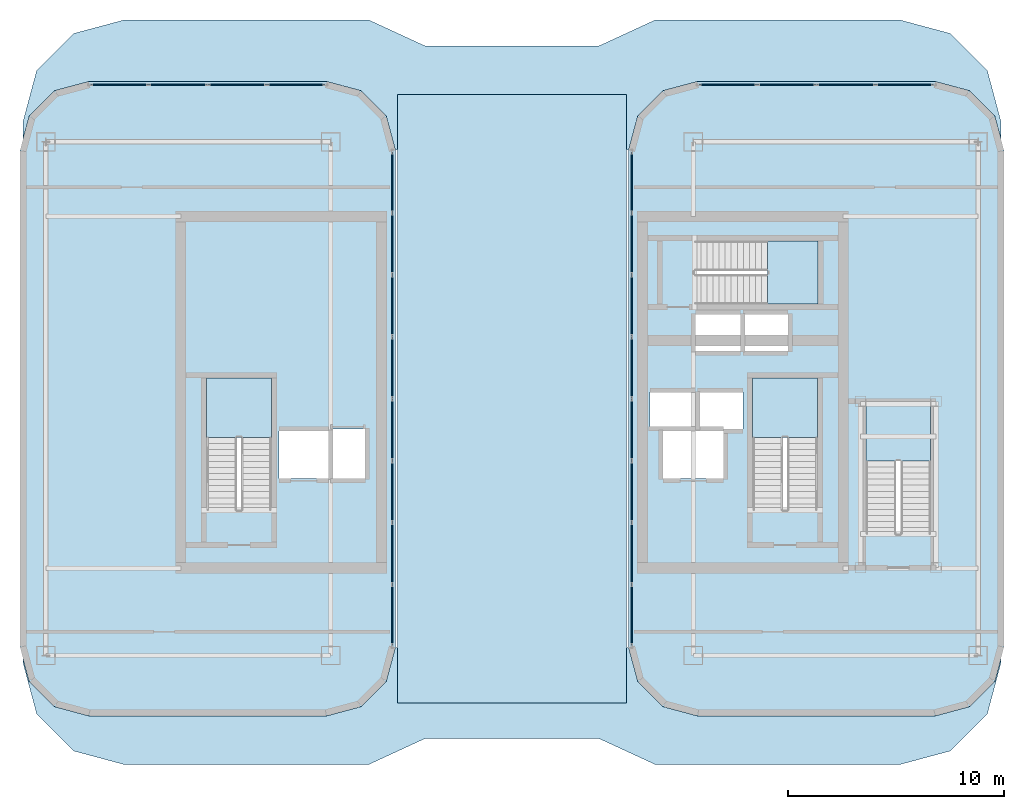
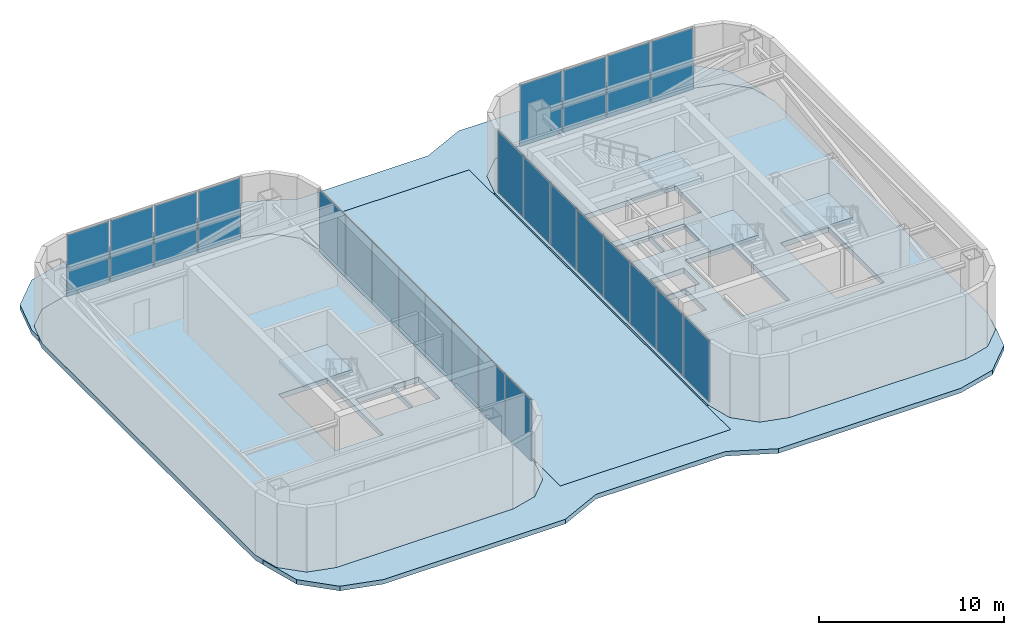
# One storey, part 8 of 14: 24 plates, 9 slabs, 8 elements without a shape of their own.
"""IFC4 building model written with IfcOpenShell, lengths in metres."""

from ifc_helpers import new_model, si_unit, direction, frame, origin, origin_2d, place, context, subcontext, project, spatial, polyline, rectangle, outline, extrude, material, layer, layer_set, type_object, element, aggregate, save


model = new_model("IFC4")

# Units and contexts
model_context = context("Model", 3, precision=1e-05, world=origin(), true_north=direction((0.0, 1.0)))
body_context = subcontext(model_context, "Body", "Model", "MODEL_VIEW")
ifc_project = project(units=[si_unit("LENGTHUNIT", "METRE"), si_unit("AREAUNIT", "SQUARE_METRE"), si_unit("VOLUMEUNIT", "CUBIC_METRE"), si_unit("PLANEANGLEUNIT", "RADIAN"), si_unit("MASSUNIT", "GRAM", prefix="KILO")], contexts=[model_context])

# Site, building, storey
site_placement = place(None, origin())
site = spatial("IfcSite", under=ifc_project, at=site_placement, CompositionType="ELEMENT")
building_placement = place(site_placement, origin())
building = spatial("IfcBuilding", under=site, at=building_placement, Name="Kiyonajd Concourse Tower", CompositionType="ELEMENT")
storey_placement = place(building_placement, frame((0.0, 0.0, 354.89990234375)))
storey = spatial("IfcBuildingStorey", under=building, at=storey_placement, Name="L89", CompositionType="ELEMENT", Elevation=354.89990234375)

# Curtain wall, plates
ifc_material_1 = material(Name="Thermally Broken Anodised Aluminium", Category="aluminium")
ifc_layer_1 = layer(ifc_material_1, 0.179931640625)
ifc_layer_set_1 = layer_set([ifc_layer_1], Name="Thermally Broken Anodised Aluminium")
curtain_wall_type = type_object("IfcCurtainWallType", Name="CW-SYS-06", PredefinedType="NOTDEFINED", material=ifc_layer_set_1)
curtain_wall_1_placement = place(storey_placement, origin())
curtain_wall_1 = element("IfcCurtainWall", 1, at=curtain_wall_1_placement, inside=storey, type_object=curtain_wall_type, Name="L89 Unitised Curtain Wall CW6", PredefinedType="NOTDEFINED")
ifc_material_2 = material(Name="Riyadh Jubaila Limestone", Category="masonry")
ifc_layer_2 = layer(ifc_material_2, 0.048095703125)
ifc_layer_set_2 = layer_set([ifc_layer_2], Name="Riyadh Jubaila Limestone")
plate_type = type_object("IfcPlateType", Name="PL-CW-SPD48", PredefinedType="CURTAIN_PANEL", material=ifc_layer_set_2)
plate_1_placement = place(storey_placement, frame((29.80859375, 50.25, 0.0751953125), z_axis=(0.0, 0.0, 1.0), x_axis=(1.0, 0.0, 0.0)))
plate_1 = element("IfcPlate", 2, at=plate_1_placement, type_object=plate_type, Name="CW6 panel 1.1", PredefinedType="CURTAIN_PANEL", context=body_context, shape_type="SweptSolid", body=[
    extrude(rectangle(XDim=2.627685546875, YDim=0.048095703125, at=origin_2d()), origin(), (0.0, 0.0, 1.0), 4.050048828125),
])
plate_2_placement = place(storey_placement, frame((32.530029296875, 50.25, 0.0751953125), z_axis=(0.0, 0.0, 1.0), x_axis=(1.0, 0.0, 0.0)))
plate_2 = element("IfcPlate", 3, at=plate_2_placement, type_object=plate_type, Name="CW6 panel 2.1", PredefinedType="CURTAIN_PANEL", context=body_context, shape_type="SweptSolid", body=[
    extrude(rectangle(XDim=2.6650390625, YDim=0.048095703125, at=origin_2d()), origin(), (0.0, 0.0, 1.0), 4.050048828125),
])
plate_3_placement = place(storey_placement, frame((35.27001953125, 50.25, 0.0751953125), z_axis=(0.0, 0.0, 1.0), x_axis=(1.0, 0.0, 0.0)))
plate_3 = element("IfcPlate", 4, at=plate_3_placement, type_object=plate_type, Name="CW6 panel 3.1", PredefinedType="CURTAIN_PANEL", context=body_context, shape_type="SweptSolid", body=[
    extrude(rectangle(XDim=2.6650390625, YDim=0.048095703125, at=origin_2d()), origin(), (0.0, 0.0, 1.0), 4.050048828125),
])
plate_4_placement = place(storey_placement, frame((37.991455078125, 50.25, 0.0751953125), z_axis=(0.0, 0.0, 1.0), x_axis=(1.0, 0.0, 0.0)))
plate_4 = element("IfcPlate", 5, at=plate_4_placement, type_object=plate_type, Name="CW6 panel 4.1", PredefinedType="CURTAIN_PANEL", context=body_context, shape_type="SweptSolid", body=[
    extrude(rectangle(XDim=2.627685546875, YDim=0.048095703125, at=origin_2d()), origin(), (0.0, 0.0, 1.0), 4.050048828125),
])
aggregate(curtain_wall_1, [plate_1, plate_2, plate_3, plate_4])

curtain_wall_2_placement = place(storey_placement, origin())
curtain_wall_2 = element("IfcCurtainWall", 6, at=curtain_wall_2_placement, inside=storey, type_object=curtain_wall_type, Name="L89 Unitised Curtain Wall CW6", PredefinedType="NOTDEFINED")
plate_5_placement = place(storey_placement, frame((42.449951171875, 45.726318359375, 0.0751953125), z_axis=(0.0, 0.0, 1.0), x_axis=(0.0, -1.0, 0.0)))
plate_5 = element("IfcPlate", 7, at=plate_5_placement, type_object=plate_type, Name="CW6 panel 1.1", PredefinedType="CURTAIN_PANEL", context=body_context, shape_type="SweptSolid", body=[
    extrude(rectangle(XDim=2.757568359375, YDim=0.048095703125, at=origin_2d()), origin(), (0.0, 0.0, 1.0), 4.050048828125),
])
plate_6_placement = place(storey_placement, frame((42.449951171875, 42.875244140625, 0.0751953125), z_axis=(0.0, 0.0, 1.0), x_axis=(0.0, -1.0, 0.0)))
plate_6 = element("IfcPlate", 8, at=plate_6_placement, type_object=plate_type, Name="CW6 panel 2.1", PredefinedType="CURTAIN_PANEL", context=body_context, shape_type="SweptSolid", body=[
    extrude(rectangle(XDim=2.795166015625, YDim=0.048095703125, at=origin_2d()), origin(), (0.0, 0.0, 1.0), 4.050048828125),
])
plate_7_placement = place(storey_placement, frame((42.449951171875, 40.005126953125, 0.0751953125), z_axis=(0.0, 0.0, 1.0), x_axis=(0.0, -1.0, 0.0)))
plate_7 = element("IfcPlate", 9, at=plate_7_placement, type_object=plate_type, Name="CW6 panel 3.1", PredefinedType="CURTAIN_PANEL", context=body_context, shape_type="SweptSolid", body=[
    extrude(rectangle(XDim=2.795166015625, YDim=0.048095703125, at=origin_2d()), origin(), (0.0, 0.0, 1.0), 4.050048828125),
])
plate_8_placement = place(storey_placement, frame((42.449951171875, 37.135009765625, 0.0751953125), z_axis=(0.0, 0.0, 1.0), x_axis=(0.0, -1.0, 0.0)))
plate_8 = element("IfcPlate", 10, at=plate_8_placement, type_object=plate_type, Name="CW6 panel 4.1", PredefinedType="CURTAIN_PANEL", context=body_context, shape_type="SweptSolid", body=[
    extrude(rectangle(XDim=2.795166015625, YDim=0.048095703125, at=origin_2d()), origin(), (0.0, 0.0, 1.0), 4.050048828125),
])
plate_9_placement = place(storey_placement, frame((42.449951171875, 34.264892578125, 0.0751953125), z_axis=(0.0, 0.0, 1.0), x_axis=(0.0, -1.0, 0.0)))
plate_9 = element("IfcPlate", 11, at=plate_9_placement, type_object=plate_type, Name="CW6 panel 5.1", PredefinedType="CURTAIN_PANEL", context=body_context, shape_type="SweptSolid", body=[
    extrude(rectangle(XDim=2.795166015625, YDim=0.048095703125, at=origin_2d()), origin(), (0.0, 0.0, 1.0), 4.050048828125),
])
plate_10_placement = place(storey_placement, frame((42.449951171875, 31.39501953125, 0.0751953125), z_axis=(0.0, 0.0, 1.0), x_axis=(0.0, -1.0, 0.0)))
plate_10 = element("IfcPlate", 12, at=plate_10_placement, type_object=plate_type, Name="CW6 panel 6.1", PredefinedType="CURTAIN_PANEL", context=body_context, shape_type="SweptSolid", body=[
    extrude(rectangle(XDim=2.795166015625, YDim=0.048095703125, at=origin_2d()), origin(), (0.0, 0.0, 1.0), 4.050048828125),
])
plate_11_placement = place(storey_placement, frame((42.449951171875, 28.52490234375, 0.0751953125), z_axis=(0.0, 0.0, 1.0), x_axis=(0.0, -1.0, 0.0)))
plate_11 = element("IfcPlate", 13, at=plate_11_placement, type_object=plate_type, Name="CW6 panel 7.1", PredefinedType="CURTAIN_PANEL", context=body_context, shape_type="SweptSolid", body=[
    extrude(rectangle(XDim=2.795166015625, YDim=0.048095703125, at=origin_2d()), origin(), (0.0, 0.0, 1.0), 4.050048828125),
])
plate_12_placement = place(storey_placement, frame((42.449951171875, 25.673583984375, 0.0751953125), z_axis=(0.0, 0.0, 1.0), x_axis=(0.0, -1.0, 0.0)))
plate_12 = element("IfcPlate", 14, at=plate_12_placement, type_object=plate_type, Name="CW6 panel 8.1", PredefinedType="CURTAIN_PANEL", context=body_context, shape_type="SweptSolid", body=[
    extrude(rectangle(XDim=2.757568359375, YDim=0.048095703125, at=origin_2d()), origin(), (0.0, 0.0, 1.0), 4.050048828125),
])
aggregate(curtain_wall_2, [plate_5, plate_6, plate_7, plate_8, plate_9, plate_10, plate_11, plate_12])

curtain_wall_3_placement = place(storey_placement, origin())
curtain_wall_3 = element("IfcCurtainWall", 15, at=curtain_wall_3_placement, inside=storey, type_object=curtain_wall_type, Name="L89 Unitised Curtain Wall CW6", PredefinedType="NOTDEFINED")
plate_13_placement = place(storey_placement, frame((53.550048828125, 25.673583984375, 0.0751953125), z_axis=(0.0, 0.0, 1.0), x_axis=(0.0, 1.0, 0.0)))
plate_13 = element("IfcPlate", 16, at=plate_13_placement, type_object=plate_type, Name="CW6 panel 1.1", PredefinedType="CURTAIN_PANEL", context=body_context, shape_type="SweptSolid", body=[
    extrude(rectangle(XDim=2.757568359375, YDim=0.048095703125, at=origin_2d()), origin(), (0.0, 0.0, 1.0), 4.050048828125),
])
plate_14_placement = place(storey_placement, frame((53.550048828125, 28.52490234375, 0.0751953125), z_axis=(0.0, 0.0, 1.0), x_axis=(0.0, 1.0, 0.0)))
plate_14 = element("IfcPlate", 17, at=plate_14_placement, type_object=plate_type, Name="CW6 panel 2.1", PredefinedType="CURTAIN_PANEL", context=body_context, shape_type="SweptSolid", body=[
    extrude(rectangle(XDim=2.795166015625, YDim=0.048095703125, at=origin_2d()), origin(), (0.0, 0.0, 1.0), 4.050048828125),
])
plate_15_placement = place(storey_placement, frame((53.550048828125, 31.39501953125, 0.0751953125), z_axis=(0.0, 0.0, 1.0), x_axis=(0.0, 1.0, 0.0)))
plate_15 = element("IfcPlate", 18, at=plate_15_placement, type_object=plate_type, Name="CW6 panel 3.1", PredefinedType="CURTAIN_PANEL", context=body_context, shape_type="SweptSolid", body=[
    extrude(rectangle(XDim=2.795166015625, YDim=0.048095703125, at=origin_2d()), origin(), (0.0, 0.0, 1.0), 4.050048828125),
])
plate_16_placement = place(storey_placement, frame((53.550048828125, 34.264892578125, 0.0751953125), z_axis=(0.0, 0.0, 1.0), x_axis=(0.0, 1.0, 0.0)))
plate_16 = element("IfcPlate", 19, at=plate_16_placement, type_object=plate_type, Name="CW6 panel 4.1", PredefinedType="CURTAIN_PANEL", context=body_context, shape_type="SweptSolid", body=[
    extrude(rectangle(XDim=2.795166015625, YDim=0.048095703125, at=origin_2d()), origin(), (0.0, 0.0, 1.0), 4.050048828125),
])
plate_17_placement = place(storey_placement, frame((53.550048828125, 37.135009765625, 0.0751953125), z_axis=(0.0, 0.0, 1.0), x_axis=(0.0, 1.0, 0.0)))
plate_17 = element("IfcPlate", 20, at=plate_17_placement, type_object=plate_type, Name="CW6 panel 5.1", PredefinedType="CURTAIN_PANEL", context=body_context, shape_type="SweptSolid", body=[
    extrude(rectangle(XDim=2.795166015625, YDim=0.048095703125, at=origin_2d()), origin(), (0.0, 0.0, 1.0), 4.050048828125),
])
plate_18_placement = place(storey_placement, frame((53.550048828125, 40.005126953125, 0.0751953125), z_axis=(0.0, 0.0, 1.0), x_axis=(0.0, 1.0, 0.0)))
plate_18 = element("IfcPlate", 21, at=plate_18_placement, type_object=plate_type, Name="CW6 panel 6.1", PredefinedType="CURTAIN_PANEL", context=body_context, shape_type="SweptSolid", body=[
    extrude(rectangle(XDim=2.795166015625, YDim=0.048095703125, at=origin_2d()), origin(), (0.0, 0.0, 1.0), 4.050048828125),
])
plate_19_placement = place(storey_placement, frame((53.550048828125, 42.875244140625, 0.0751953125), z_axis=(0.0, 0.0, 1.0), x_axis=(0.0, 1.0, 0.0)))
plate_19 = element("IfcPlate", 22, at=plate_19_placement, type_object=plate_type, Name="CW6 panel 7.1", PredefinedType="CURTAIN_PANEL", context=body_context, shape_type="SweptSolid", body=[
    extrude(rectangle(XDim=2.795166015625, YDim=0.048095703125, at=origin_2d()), origin(), (0.0, 0.0, 1.0), 4.050048828125),
])
plate_20_placement = place(storey_placement, frame((53.550048828125, 45.726318359375, 0.0751953125), z_axis=(0.0, 0.0, 1.0), x_axis=(0.0, 1.0, 0.0)))
plate_20 = element("IfcPlate", 23, at=plate_20_placement, type_object=plate_type, Name="CW6 panel 8.1", PredefinedType="CURTAIN_PANEL", context=body_context, shape_type="SweptSolid", body=[
    extrude(rectangle(XDim=2.757568359375, YDim=0.048095703125, at=origin_2d()), origin(), (0.0, 0.0, 1.0), 4.050048828125),
])
aggregate(curtain_wall_3, [plate_13, plate_14, plate_15, plate_16, plate_17, plate_18, plate_19, plate_20])

curtain_wall_4_placement = place(storey_placement, origin())
curtain_wall_4 = element("IfcCurtainWall", 24, at=curtain_wall_4_placement, inside=storey, type_object=curtain_wall_type, Name="L89 Unitised Curtain Wall CW6", PredefinedType="NOTDEFINED")
plate_21_placement = place(storey_placement, frame((58.008544921875, 50.25, 0.0751953125), z_axis=(0.0, 0.0, 1.0), x_axis=(1.0, 0.0, 0.0)))
plate_21 = element("IfcPlate", 25, at=plate_21_placement, type_object=plate_type, Name="CW6 panel 1.1", PredefinedType="CURTAIN_PANEL", context=body_context, shape_type="SweptSolid", body=[
    extrude(rectangle(XDim=2.627685546875, YDim=0.048095703125, at=origin_2d()), origin(), (0.0, 0.0, 1.0), 4.050048828125),
])
plate_22_placement = place(storey_placement, frame((60.72998046875, 50.25, 0.0751953125), z_axis=(0.0, 0.0, 1.0), x_axis=(1.0, 0.0, 0.0)))
plate_22 = element("IfcPlate", 26, at=plate_22_placement, type_object=plate_type, Name="CW6 panel 2.1", PredefinedType="CURTAIN_PANEL", context=body_context, shape_type="SweptSolid", body=[
    extrude(rectangle(XDim=2.6650390625, YDim=0.048095703125, at=origin_2d()), origin(), (0.0, 0.0, 1.0), 4.050048828125),
])
plate_23_placement = place(storey_placement, frame((63.469970703125, 50.25, 0.0751953125), z_axis=(0.0, 0.0, 1.0), x_axis=(1.0, 0.0, 0.0)))
plate_23 = element("IfcPlate", 27, at=plate_23_placement, type_object=plate_type, Name="CW6 panel 3.1", PredefinedType="CURTAIN_PANEL", context=body_context, shape_type="SweptSolid", body=[
    extrude(rectangle(XDim=2.6650390625, YDim=0.048095703125, at=origin_2d()), origin(), (0.0, 0.0, 1.0), 4.050048828125),
])
plate_24_placement = place(storey_placement, frame((66.19140625, 50.25, 0.0751953125), z_axis=(0.0, 0.0, 1.0), x_axis=(1.0, 0.0, 0.0)))
plate_24 = element("IfcPlate", 28, at=plate_24_placement, type_object=plate_type, Name="CW6 panel 4.1", PredefinedType="CURTAIN_PANEL", context=body_context, shape_type="SweptSolid", body=[
    extrude(rectangle(XDim=2.627685546875, YDim=0.048095703125, at=origin_2d()), origin(), (0.0, 0.0, 1.0), 4.050048828125),
])
aggregate(curtain_wall_4, [plate_21, plate_22, plate_23, plate_24])

# Stair, slab
ifc_material_3 = material(Name="Concrete C40/50", Category="concrete")
stair_type = type_object("IfcStairType", Name="ST-DLG-26R", PredefinedType="HALF_TURN_STAIR", material=ifc_material_3)
stair_1_placement = place(storey_placement, origin())
stair_1 = element("IfcStair", 29, at=stair_1_placement, inside=storey, type_object=stair_type, Name="L89 Protected Exit Stair ST1", PredefinedType="HALF_TURN_STAIR")
ifc_layer_3 = layer(ifc_material_3, 0.199951171875)
ifc_layer_set_3 = layer_set([ifc_layer_3], Name="Concrete C40/50")
slab_type_1 = type_object("IfcSlabType", Name="SL-LND-200", PredefinedType="LANDING", material=ifc_layer_set_3)
slab_1_placement = place(storey_placement, frame((0.0, 0.0, 2.050048828125)))
slab_1 = element("IfcSlab", 30, at=slab_1_placement, type_object=slab_type_1, Name="ST1 landing 1", PredefinedType="LANDING", context=body_context, shape_type="SweptSolid", body=[
    extrude(outline(polyline([(36.85009765625, 33.909912109375), (36.85009765625, 36.64990234375), (33.85009765625, 36.64990234375), (33.85009765625, 33.909912109375), (36.85009765625, 33.909912109375)])), origin(), (0.0, 0.0, 1.0), 0.199951171875),
])
aggregate(stair_1, [slab_1])

stair_2_placement = place(storey_placement, origin())
stair_2 = element("IfcStair", 31, at=stair_2_placement, inside=storey, type_object=stair_type, Name="L89 Protected Exit Stair ST2", PredefinedType="HALF_TURN_STAIR")
slab_2_placement = place(storey_placement, frame((0.0, 0.0, 2.050048828125)))
slab_2 = element("IfcSlab", 32, at=slab_2_placement, type_object=slab_type_1, Name="ST2 landing 1", PredefinedType="LANDING", context=body_context, shape_type="SweptSolid", body=[
    extrude(outline(polyline([(62.14990234375, 33.909912109375), (62.14990234375, 36.64990234375), (59.14990234375, 36.64990234375), (59.14990234375, 33.909912109375), (62.14990234375, 33.909912109375)])), origin(), (0.0, 0.0, 1.0), 0.199951171875),
])
aggregate(stair_2, [slab_2])

stair_3_placement = place(storey_placement, origin())
stair_3 = element("IfcStair", 33, at=stair_3_placement, inside=storey, type_object=stair_type, Name="L89 Protected Exit Stair ST3", PredefinedType="HALF_TURN_STAIR")
slab_3_placement = place(storey_placement, frame((0.0, 0.0, 2.050048828125)))
slab_3 = element("IfcSlab", 34, at=slab_3_placement, type_object=slab_type_1, Name="ST3 landing 1", PredefinedType="LANDING", context=body_context, shape_type="SweptSolid", body=[
    extrude(outline(polyline([(59.840087890625, 40.080078125), (62.179931640625, 40.080078125), (62.179931640625, 43.02001953125), (59.840087890625, 43.02001953125), (59.840087890625, 40.080078125)])), origin(), (0.0, 0.0, 1.0), 0.199951171875),
])
aggregate(stair_3, [slab_3])

stair_4_placement = place(storey_placement, origin())
stair_4 = element("IfcStair", 35, at=stair_4_placement, inside=storey, type_object=stair_type, Name="L89 East Crown Maintenance Stair ST6", PredefinedType="HALF_TURN_STAIR")
slab_4_placement = place(storey_placement, frame((0.0, 0.0, 2.050048828125)))
slab_4 = element("IfcSlab", 36, at=slab_4_placement, type_object=slab_type_1, Name="ST6 landing 1", PredefinedType="LANDING", context=body_context, shape_type="SweptSolid", body=[
    extrude(outline(polyline([(67.39990234375, 32.81005859375), (67.39990234375, 35.449951171875), (64.39990234375, 35.449951171875), (64.39990234375, 32.81005859375), (67.39990234375, 32.81005859375)])), origin(), (0.0, 0.0, 1.0), 0.199951171875),
])
aggregate(stair_4, [slab_4])

# Slabs
ifc_material_4 = material(Name="Concrete C50/60", Category="concrete")
ifc_layer_4 = layer(ifc_material_4, 0.300048828125)
ifc_layer_set_4 = layer_set([ifc_layer_4], Name="Concrete C50/60")
slab_type_2 = type_object("IfcSlabType", Name="SL-MEP-300", PredefinedType="FLOOR", material=ifc_layer_set_4)
slab_5_placement = place(storey_placement, frame((0.0, 0.0, -0.33984375)))
element("IfcSlab", 37, at=slab_5_placement, inside=storey, type_object=slab_type_2, Name="L89 West Crown Plant Floor Slab", PredefinedType="FLOOR", context=body_context, shape_type="SweptSolid", body=[
    extrude(outline(polyline([(25.199951171875, 24.199951171875), (25.62890625, 22.60009765625), (26.800048828125, 21.428955078125), (28.39990234375, 21.0), (39.39990234375, 21.0), (41.0, 21.428955078125), (42.1708984375, 22.60009765625), (42.60009765625, 24.199951171875), (42.60009765625, 47.199951171875), (42.1708984375, 48.800048828125), (41.0, 49.970947265625), (39.39990234375, 50.39990234375), (28.39990234375, 50.39990234375), (26.800048828125, 49.970947265625), (25.62890625, 48.800048828125), (25.199951171875, 47.199951171875), (25.199951171875, 24.199951171875)]), holes=[polyline([(33.85009765625, 30.550048828125), (33.85009765625, 36.64990234375), (36.85009765625, 36.64990234375), (36.85009765625, 30.550048828125), (33.85009765625, 30.550048828125)]), polyline([(37.199951171875, 32.0), (37.199951171875, 34.199951171875), (39.5, 34.199951171875), (39.5, 32.0), (37.199951171875, 32.0)]), polyline([(39.60009765625, 32.0), (39.60009765625, 34.300048828125), (41.199951171875, 34.300048828125), (41.199951171875, 32.0), (39.60009765625, 32.0)])]), origin(), (0.0, 0.0, 1.0), 0.33984375),
])
slab_6_placement = place(storey_placement, frame((0.0, 0.0, -0.33984375)))
element("IfcSlab", 38, at=slab_6_placement, inside=storey, type_object=slab_type_2, Name="L89 East Crown TMD Floor Slab", PredefinedType="FLOOR", context=body_context, shape_type="SweptSolid", body=[
    extrude(outline(polyline([(53.39990234375, 24.199951171875), (53.8291015625, 22.60009765625), (55.0, 21.428955078125), (56.60009765625, 21.0), (67.60009765625, 21.0), (69.199951171875, 21.428955078125), (70.37109375, 22.60009765625), (70.800048828125, 24.199951171875), (70.800048828125, 47.199951171875), (70.37109375, 48.800048828125), (69.199951171875, 49.970947265625), (67.60009765625, 50.39990234375), (56.60009765625, 50.39990234375), (55.0, 49.970947265625), (53.8291015625, 48.800048828125), (53.39990234375, 47.199951171875), (53.39990234375, 24.199951171875)]), holes=[polyline([(59.14990234375, 30.550048828125), (59.14990234375, 36.64990234375), (62.14990234375, 36.64990234375), (62.14990234375, 30.550048828125), (59.14990234375, 30.550048828125)]), polyline([(56.47998046875, 43.02001953125), (62.179931640625, 43.02001953125), (62.179931640625, 40.080078125), (56.47998046875, 40.080078125), (56.47998046875, 43.02001953125)]), polyline([(64.39990234375, 29.449951171875), (64.39990234375, 35.449951171875), (67.39990234375, 35.449951171875), (67.39990234375, 29.449951171875), (64.39990234375, 29.449951171875)]), polyline([(55.0, 32.0), (55.0, 34.199951171875), (57.800048828125, 34.199951171875), (57.800048828125, 32.0), (55.0, 32.0)]), polyline([(54.39990234375, 34.300048828125), (54.39990234375, 36.0), (56.5, 36.0), (56.5, 34.300048828125), (54.39990234375, 34.300048828125)]), polyline([(56.60009765625, 34.300048828125), (56.60009765625, 36.0), (58.699951171875, 36.0), (58.699951171875, 34.300048828125), (56.60009765625, 34.300048828125)]), polyline([(56.5, 37.89990234375), (56.5, 39.60009765625), (58.60009765625, 39.60009765625), (58.60009765625, 37.89990234375), (56.5, 37.89990234375)]), polyline([(58.699951171875, 37.89990234375), (58.699951171875, 39.60009765625), (60.800048828125, 39.60009765625), (60.800048828125, 37.89990234375), (58.699951171875, 37.89990234375)])]), origin(), (0.0, 0.0, 1.0), 0.33984375),
])
ifc_layer_5 = layer(ifc_material_3, 0.300048828125)
ifc_layer_set_5 = layer_set([ifc_layer_5], Name="Concrete C40/50")
slab_type_3 = type_object("IfcSlabType", Name="SL-ROOF-300", PredefinedType="ROOF", material=ifc_layer_set_5)
slab_7_placement = place(storey_placement, frame((0.0, 0.0, -0.2998046875)))
element("IfcSlab", 39, at=slab_7_placement, inside=storey, type_object=slab_type_3, Name="L89 Sky-Bridge Gallery Roof Slab", PredefinedType="ROOF", context=body_context, shape_type="SweptSolid", body=[
    extrude(outline(polyline([(42.699951171875, 21.60009765625), (53.300048828125, 21.60009765625), (53.300048828125, 49.800048828125), (42.699951171875, 49.800048828125), (42.699951171875, 21.60009765625)])), origin(), (0.0, 0.0, 1.0), 0.2998046875),
])
slab_8_placement = place(storey_placement, frame((0.0, 0.0, -0.2998046875)))
element("IfcSlab", 40, at=slab_8_placement, inside=storey, type_object=slab_type_3, Name="L89 Crown Setback Roof Slab 1", PredefinedType="ROOF", context=body_context, shape_type="SweptSolid", body=[
    extrude(outline(polyline([(25.35009765625, 23.64111328125), (25.62890625, 22.60009765625), (26.800048828125, 21.428955078125), (28.40087890625, 21.0), (39.40087890625, 21.0), (41.0009765625, 21.429931640625), (42.1708984375, 22.60009765625), (42.58203125, 24.133056640625), (42.60498046875, 24.1669921875), (42.638916015625, 24.177001953125), (42.681884765625, 24.159912109375), (42.699951171875, 24.117919921875), (42.699951171875, 21.60009765625), (53.300048828125, 21.60009765625), (53.300048828125, 24.117919921875), (53.318115234375, 24.159912109375), (53.361083984375, 24.177001953125), (53.39501953125, 24.1669921875), (53.41796875, 24.133056640625), (53.8291015625, 22.60009765625), (54.9990234375, 21.429931640625), (56.60107421875, 21.0), (67.60009765625, 21.0), (69.199951171875, 21.428955078125), (70.37109375, 22.60009765625), (70.64990234375, 23.64111328125), (70.64990234375, 23.419921875), (70.02294921875, 21.077880859375), (68.322021484375, 19.376953125), (65.97998046875, 18.75), (54.633056640625, 18.75), (52.06298828125, 19.93603515625), (52.0, 19.949951171875), (43.98388671875, 19.948974609375), (43.93701171875, 19.93603515625), (41.366943359375, 18.75), (30.02001953125, 18.75), (27.677978515625, 19.376953125), (25.97705078125, 21.077880859375), (25.35009765625, 23.419921875), (25.35009765625, 23.64111328125)])), origin(), (0.0, 0.0, 1.0), 0.2998046875),
])
slab_9_placement = place(storey_placement, frame((0.0, 0.0, -0.2998046875)))
element("IfcSlab", 41, at=slab_9_placement, inside=storey, type_object=slab_type_3, Name="L89 Crown Setback Roof Slab 2", PredefinedType="ROOF", context=body_context, shape_type="SweptSolid", body=[
    extrude(outline(polyline([(25.35009765625, 48.580078125), (25.97705078125, 50.922119140625), (27.677978515625, 52.623046875), (30.02001953125, 53.25), (41.366943359375, 53.25), (43.93701171875, 52.06396484375), (44.0, 52.050048828125), (52.01611328125, 52.051025390625), (52.06298828125, 52.06396484375), (54.633056640625, 53.25), (65.97998046875, 53.25), (68.322021484375, 52.623046875), (70.02294921875, 50.922119140625), (70.64990234375, 48.580078125), (70.64990234375, 47.759033203125), (70.37109375, 48.800048828125), (69.199951171875, 49.970947265625), (67.59912109375, 50.39990234375), (56.59912109375, 50.39990234375), (54.9990234375, 49.969970703125), (53.8291015625, 48.800048828125), (53.41796875, 47.26708984375), (53.39501953125, 47.23291015625), (53.361083984375, 47.222900390625), (53.318115234375, 47.239990234375), (53.300048828125, 47.281982421875), (53.299072265625, 49.800048828125), (42.699951171875, 49.800048828125), (42.699951171875, 47.281982421875), (42.681884765625, 47.239990234375), (42.64501953125, 47.222900390625), (42.60498046875, 47.23291015625), (42.58203125, 47.26708984375), (42.1708984375, 48.800048828125), (41.0009765625, 49.969970703125), (39.39990234375, 50.39990234375), (28.39990234375, 50.39990234375), (26.800048828125, 49.970947265625), (25.62890625, 48.800048828125), (25.35009765625, 47.759033203125), (25.35009765625, 48.580078125)])), origin(), (0.0, 0.0, 1.0), 0.2998046875),
])

save(model, "model.ifc")
